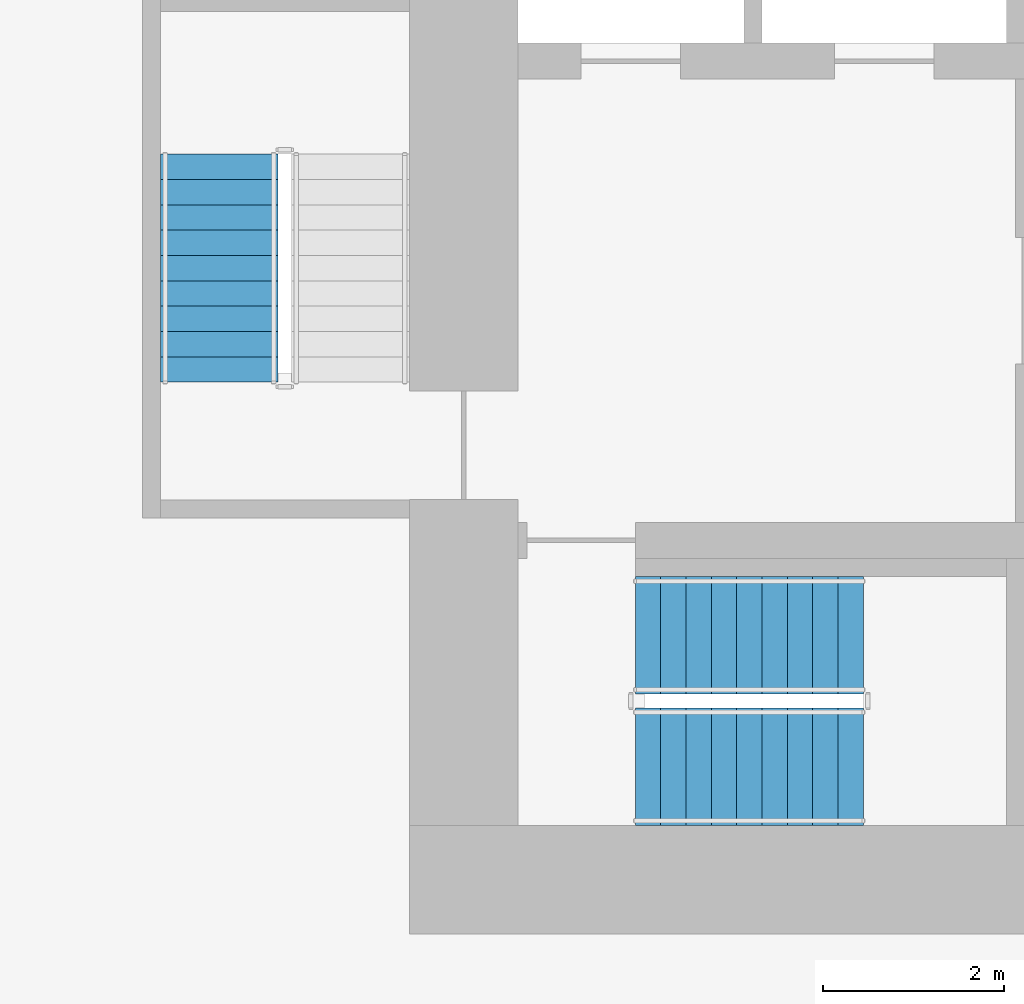
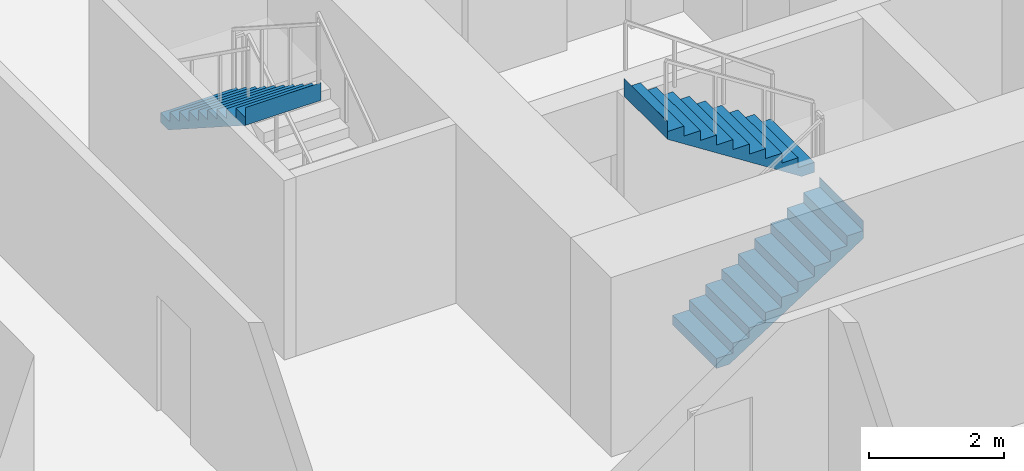
# One storey, part 15 of 22: 3 stair flights, 2 elements without a shape of their own.
"""IFC4 building model written with IfcOpenShell, lengths in metres."""

from ifc_helpers import new_model, si_unit, direction, frame, origin, place, context, subcontext, project, spatial, triangles, material, type_object, element, aggregate, save


model = new_model("IFC4")

# Units and contexts
model_context = context("Model", 3, precision=1e-05, world=origin(), true_north=direction((0.0, 1.0)))
body_context = subcontext(model_context, "Body", "Model", "MODEL_VIEW")
ifc_project = project(units=[si_unit("LENGTHUNIT", "METRE"), si_unit("AREAUNIT", "SQUARE_METRE"), si_unit("VOLUMEUNIT", "CUBIC_METRE"), si_unit("PLANEANGLEUNIT", "RADIAN"), si_unit("MASSUNIT", "GRAM", prefix="KILO")], contexts=[model_context])

# Site, building, storey
site_placement = place(None, origin())
site = spatial("IfcSite", under=ifc_project, at=site_placement, CompositionType="ELEMENT")
building_placement = place(site_placement, origin())
building = spatial("IfcBuilding", under=site, at=building_placement, Name="Beryl Residences", CompositionType="ELEMENT")
storey_placement = place(building_placement, frame((0.0, 0.0, 12.60009765625)))
storey = spatial("IfcBuildingStorey", under=building, at=storey_placement, Name="L03", CompositionType="ELEMENT", Elevation=12.60009765625)

# Stair, stair flights
ifc_material_1 = material(Name="Concrete C40/50", Category="concrete")
stair_type = type_object("IfcStairType", Name="ST1 protected exit stair, half-turn, 1300 mm flights", PredefinedType="HALF_TURN_STAIR", material=ifc_material_1)
stair_1_placement = place(storey_placement, origin())
stair_1 = element("IfcStair", 1, at=stair_1_placement, inside=storey, type_object=stair_type, Name="L03 PROTECTED EXIT STAIR ST-1", PredefinedType="HALF_TURN_STAIR")
ifc_material_2 = material(Name="Concrete C40/50", Category="concrete")
stair_flight_type = type_object("IfcStairFlightType", Name="SF1 stair flight 1300 mm", PredefinedType="STRAIGHT", material=ifc_material_2)
stair_flight_1_placement = place(storey_placement, frame((-10.800048828125, -17.14990234375, 0.0), z_axis=(0.0, 0.0, 1.0), x_axis=(1.0, 0.0, 0.0)))
stair_flight_1 = element("IfcStairFlight", 2, at=stair_flight_1_placement, type_object=stair_flight_type, Name="ST-1 flight 1", NumberOfRisers=10, NumberOfTreads=9, PredefinedType="STRAIGHT", RiserHeight=0.18, TreadLength=0.28, context=body_context, shape_type="Tessellation", body=[
    triangles([(0.0, -0.64990234375, 0.0), (0.0, -0.324951171875, 0.0), (0.0, 0.0, 0.0), (0.0, 0.324951171875, 0.0), (0.0, 0.64990234375, 0.0), (0.0, -0.64990234375, 0.179931640625), (0.0, -0.324951171875, 0.179931640625), (0.0, 0.0, 0.179931640625), (0.0, 0.324951171875, 0.179931640625), (0.0, 0.64990234375, 0.179931640625), (0.280029296875, -0.64990234375, 0.179931640625), (0.280029296875, -0.324951171875, 0.179931640625), (0.280029296875, 0.0, 0.179931640625), (0.280029296875, 0.324951171875, 0.179931640625), (0.280029296875, 0.64990234375, 0.179931640625), (0.280029296875, -0.64990234375, 0.360107421875), (0.280029296875, -0.324951171875, 0.360107421875), (0.280029296875, 0.0, 0.360107421875), (0.280029296875, 0.324951171875, 0.360107421875), (0.280029296875, 0.64990234375, 0.360107421875), (0.56005859375, -0.64990234375, 0.360107421875), (0.56005859375, -0.324951171875, 0.360107421875), (0.56005859375, 0.0, 0.360107421875), (0.56005859375, 0.324951171875, 0.360107421875), (0.56005859375, 0.64990234375, 0.360107421875), (0.56005859375, -0.64990234375, 0.5400390625), (0.56005859375, -0.324951171875, 0.5400390625), (0.56005859375, 0.0, 0.5400390625), (0.56005859375, 0.324951171875, 0.5400390625), (0.56005859375, 0.64990234375, 0.5400390625), (0.840087890625, -0.64990234375, 0.5400390625), (0.840087890625, -0.324951171875, 0.5400390625), (0.840087890625, 0.0, 0.5400390625), (0.840087890625, 0.324951171875, 0.5400390625), (0.840087890625, 0.64990234375, 0.5400390625), (0.840087890625, -0.64990234375, 0.719970703125), (0.840087890625, -0.324951171875, 0.719970703125), (0.840087890625, 0.0, 0.719970703125), (0.840087890625, 0.324951171875, 0.719970703125), (0.840087890625, 0.64990234375, 0.719970703125), (1.1201171875, -0.64990234375, 0.719970703125), (1.1201171875, -0.324951171875, 0.719970703125), (1.1201171875, 0.0, 0.719970703125), (1.1201171875, 0.324951171875, 0.719970703125), (1.1201171875, 0.64990234375, 0.719970703125), (1.1201171875, -0.64990234375, 0.89990234375), (1.1201171875, -0.324951171875, 0.89990234375), (1.1201171875, 0.0, 0.89990234375), (1.1201171875, 0.324951171875, 0.89990234375), (1.1201171875, 0.64990234375, 0.89990234375), (1.39990234375, -0.64990234375, 0.89990234375), (1.39990234375, -0.324951171875, 0.89990234375), (1.39990234375, 0.0, 0.89990234375), (1.39990234375, 0.324951171875, 0.89990234375), (1.39990234375, 0.64990234375, 0.89990234375), (1.39990234375, -0.64990234375, 1.080078125), (1.39990234375, -0.324951171875, 1.080078125), (1.39990234375, 0.0, 1.080078125), (1.39990234375, 0.324951171875, 1.080078125), (1.39990234375, 0.64990234375, 1.080078125), (1.679931640625, -0.64990234375, 1.080078125), (1.679931640625, -0.324951171875, 1.080078125), (1.679931640625, 0.0, 1.080078125), (1.679931640625, 0.324951171875, 1.080078125), (1.679931640625, 0.64990234375, 1.080078125), (1.679931640625, -0.64990234375, 1.260009765625), (1.679931640625, -0.324951171875, 1.260009765625), (1.679931640625, 0.0, 1.260009765625), (1.679931640625, 0.324951171875, 1.260009765625), (1.679931640625, 0.64990234375, 1.260009765625), (1.9599609375, -0.64990234375, 1.260009765625), (1.9599609375, -0.324951171875, 1.260009765625), (1.9599609375, 0.0, 1.260009765625), (1.9599609375, 0.324951171875, 1.260009765625), (1.9599609375, 0.64990234375, 1.260009765625), (1.9599609375, -0.64990234375, 1.43994140625), (1.9599609375, -0.324951171875, 1.43994140625), (1.9599609375, 0.0, 1.43994140625), (1.9599609375, 0.324951171875, 1.43994140625), (1.9599609375, 0.64990234375, 1.43994140625), (2.239990234375, -0.64990234375, 1.43994140625), (2.239990234375, -0.324951171875, 1.43994140625), (2.239990234375, 0.0, 1.43994140625), (2.239990234375, 0.324951171875, 1.43994140625), (2.239990234375, 0.64990234375, 1.43994140625), (2.239990234375, -0.64990234375, 1.6201171875), (2.239990234375, -0.324951171875, 1.6201171875), (2.239990234375, 0.0, 1.6201171875), (2.239990234375, 0.324951171875, 1.6201171875), (2.239990234375, 0.64990234375, 1.6201171875), (2.52001953125, -0.64990234375, 1.6201171875), (2.52001953125, -0.324951171875, 1.6201171875), (2.52001953125, 0.0, 1.6201171875), (2.52001953125, 0.324951171875, 1.6201171875), (2.52001953125, 0.64990234375, 1.6201171875), (2.52001953125, -0.64990234375, 1.800048828125), (2.52001953125, -0.324951171875, 1.800048828125), (2.52001953125, 0.0, 1.800048828125), (2.52001953125, 0.324951171875, 1.800048828125), (2.52001953125, 0.64990234375, 1.800048828125), (2.52099609375, -0.64990234375, 1.800048828125), (2.52099609375, -0.324951171875, 1.800048828125), (2.52099609375, 0.0, 1.800048828125), (2.52099609375, 0.324951171875, 1.800048828125), (2.52099609375, 0.64990234375, 1.800048828125), (2.52099609375, -0.64990234375, 1.477294921875), (2.52099609375, -0.324951171875, 1.477294921875), (2.52099609375, 0.0, 1.477294921875), (2.52099609375, 0.324951171875, 1.477294921875), (2.52099609375, 0.64990234375, 1.477294921875), (0.22314453125, -0.64990234375, 0.0), (0.22314453125, -0.324951171875, 0.0), (0.22314453125, 0.0, 0.0), (0.22314453125, 0.324951171875, 0.0), (0.22314453125, 0.64990234375, 0.0)], [[1, 6, 7], [1, 7, 2], [2, 7, 8], [2, 8, 3], [3, 8, 9], [3, 9, 4], [4, 9, 10], [4, 10, 5], [6, 11, 12], [6, 12, 7], [7, 12, 13], [7, 13, 8], [8, 13, 14], [8, 14, 9], [9, 14, 15], [9, 15, 10], [11, 16, 17], [11, 17, 12], [12, 17, 18], [12, 18, 13], [13, 18, 19], [13, 19, 14], [14, 19, 20], [14, 20, 15], [16, 21, 22], [16, 22, 17], [17, 22, 23], [17, 23, 18], [18, 23, 24], [18, 24, 19], [19, 24, 25], [19, 25, 20], [21, 26, 27], [21, 27, 22], [22, 27, 28], [22, 28, 23], [23, 28, 29], [23, 29, 24], [24, 29, 30], [24, 30, 25], [26, 31, 32], [26, 32, 27], [27, 32, 33], [27, 33, 28], [28, 33, 34], [28, 34, 29], [29, 34, 35], [29, 35, 30], [31, 36, 37], [31, 37, 32], [32, 37, 38], [32, 38, 33], [33, 38, 39], [33, 39, 34], [34, 39, 40], [34, 40, 35], [36, 41, 42], [36, 42, 37], [37, 42, 43], [37, 43, 38], [38, 43, 44], [38, 44, 39], [39, 44, 45], [39, 45, 40], [41, 46, 47], [41, 47, 42], [42, 47, 48], [42, 48, 43], [43, 48, 49], [43, 49, 44], [44, 49, 50], [44, 50, 45], [46, 51, 52], [46, 52, 47], [47, 52, 53], [47, 53, 48], [48, 53, 54], [48, 54, 49], [49, 54, 55], [49, 55, 50], [51, 56, 57], [51, 57, 52], [52, 57, 58], [52, 58, 53], [53, 58, 59], [53, 59, 54], [54, 59, 60], [54, 60, 55], [56, 61, 62], [56, 62, 57], [57, 62, 63], [57, 63, 58], [58, 63, 64], [58, 64, 59], [59, 64, 65], [59, 65, 60], [61, 66, 67], [61, 67, 62], [62, 67, 68], [62, 68, 63], [63, 68, 69], [63, 69, 64], [64, 69, 70], [64, 70, 65], [66, 71, 72], [66, 72, 67], [67, 72, 73], [67, 73, 68], [68, 73, 74], [68, 74, 69], [69, 74, 75], [69, 75, 70], [71, 76, 77], [71, 77, 72], [72, 77, 78], [72, 78, 73], [73, 78, 79], [73, 79, 74], [74, 79, 80], [74, 80, 75], [76, 81, 82], [76, 82, 77], [77, 82, 83], [77, 83, 78], [78, 83, 84], [78, 84, 79], [79, 84, 85], [79, 85, 80], [81, 86, 87], [81, 87, 82], [82, 87, 88], [82, 88, 83], [83, 88, 89], [83, 89, 84], [84, 89, 90], [84, 90, 85], [86, 91, 92], [86, 92, 87], [87, 92, 93], [87, 93, 88], [88, 93, 94], [88, 94, 89], [89, 94, 95], [89, 95, 90], [91, 96, 97], [91, 97, 92], [92, 97, 98], [92, 98, 93], [93, 98, 99], [93, 99, 94], [94, 99, 100], [94, 100, 95], [96, 101, 102], [96, 102, 97], [97, 102, 103], [97, 103, 98], [98, 103, 104], [98, 104, 99], [99, 104, 105], [99, 105, 100], [101, 106, 107], [101, 107, 102], [102, 107, 108], [102, 108, 103], [103, 108, 109], [103, 109, 104], [104, 109, 110], [104, 110, 105], [106, 111, 112], [106, 112, 107], [107, 112, 113], [107, 113, 108], [108, 113, 114], [108, 114, 109], [109, 114, 115], [109, 115, 110], [111, 1, 2], [111, 2, 112], [112, 2, 3], [112, 3, 113], [113, 3, 4], [113, 4, 114], [114, 4, 5], [114, 5, 115], [1, 111, 106], [5, 110, 115], [106, 101, 96], [110, 100, 105], [106, 96, 91], [110, 95, 100], [106, 91, 86], [110, 90, 95], [106, 86, 81], [110, 85, 90], [81, 76, 71], [85, 75, 80], [106, 81, 71], [110, 75, 85], [71, 66, 61], [75, 65, 70], [106, 71, 61], [110, 65, 75], [61, 56, 51], [65, 55, 60], [106, 61, 51], [110, 55, 65], [51, 46, 41], [55, 45, 50], [106, 51, 41], [110, 45, 55], [41, 36, 31], [45, 35, 40], [106, 41, 31], [110, 35, 45], [31, 26, 21], [35, 25, 30], [106, 31, 21], [110, 25, 35], [21, 16, 11], [25, 15, 20], [106, 21, 11], [110, 15, 25], [1, 106, 11], [5, 15, 110], [11, 6, 1], [15, 5, 10]], closed=True),
])
stair_flight_2_placement = place(storey_placement, frame((-8.280029296875, -15.699951171875, 1.7998046875), z_axis=(0.0, 0.0, 1.0), x_axis=(-1.0, 0.0, 0.0)))
stair_flight_2 = element("IfcStairFlight", 3, at=stair_flight_2_placement, type_object=stair_flight_type, Name="ST-1 flight 2", NumberOfRisers=10, NumberOfTreads=9, PredefinedType="STRAIGHT", RiserHeight=0.18, TreadLength=0.28, context=body_context, shape_type="Tessellation", body=[
    triangles([(0.0, -0.64990234375, 0.0), (0.0, -0.324951171875, 0.0), (0.0, 0.0, 0.0), (0.0, 0.324951171875, 0.0), (0.0, 0.64990234375, 0.0), (0.0, -0.64990234375, 0.179931640625), (0.0, -0.324951171875, 0.179931640625), (0.0, 0.0, 0.179931640625), (0.0, 0.324951171875, 0.179931640625), (0.0, 0.64990234375, 0.179931640625), (0.280029296875, -0.64990234375, 0.179931640625), (0.280029296875, -0.324951171875, 0.179931640625), (0.280029296875, 0.0, 0.179931640625), (0.280029296875, 0.324951171875, 0.179931640625), (0.280029296875, 0.64990234375, 0.179931640625), (0.280029296875, -0.64990234375, 0.360107421875), (0.280029296875, -0.324951171875, 0.360107421875), (0.280029296875, 0.0, 0.360107421875), (0.280029296875, 0.324951171875, 0.360107421875), (0.280029296875, 0.64990234375, 0.360107421875), (0.56005859375, -0.64990234375, 0.360107421875), (0.56005859375, -0.324951171875, 0.360107421875), (0.56005859375, 0.0, 0.360107421875), (0.56005859375, 0.324951171875, 0.360107421875), (0.56005859375, 0.64990234375, 0.360107421875), (0.56005859375, -0.64990234375, 0.5400390625), (0.56005859375, -0.324951171875, 0.5400390625), (0.56005859375, 0.0, 0.5400390625), (0.56005859375, 0.324951171875, 0.5400390625), (0.56005859375, 0.64990234375, 0.5400390625), (0.840087890625, -0.64990234375, 0.5400390625), (0.840087890625, -0.324951171875, 0.5400390625), (0.840087890625, 0.0, 0.5400390625), (0.840087890625, 0.324951171875, 0.5400390625), (0.840087890625, 0.64990234375, 0.5400390625), (0.840087890625, -0.64990234375, 0.719970703125), (0.840087890625, -0.324951171875, 0.719970703125), (0.840087890625, 0.0, 0.719970703125), (0.840087890625, 0.324951171875, 0.719970703125), (0.840087890625, 0.64990234375, 0.719970703125), (1.1201171875, -0.64990234375, 0.719970703125), (1.1201171875, -0.324951171875, 0.719970703125), (1.1201171875, 0.0, 0.719970703125), (1.1201171875, 0.324951171875, 0.719970703125), (1.1201171875, 0.64990234375, 0.719970703125), (1.1201171875, -0.64990234375, 0.89990234375), (1.1201171875, -0.324951171875, 0.89990234375), (1.1201171875, 0.0, 0.89990234375), (1.1201171875, 0.324951171875, 0.89990234375), (1.1201171875, 0.64990234375, 0.89990234375), (1.39990234375, -0.64990234375, 0.89990234375), (1.39990234375, -0.324951171875, 0.89990234375), (1.39990234375, 0.0, 0.89990234375), (1.39990234375, 0.324951171875, 0.89990234375), (1.39990234375, 0.64990234375, 0.89990234375), (1.39990234375, -0.64990234375, 1.080078125), (1.39990234375, -0.324951171875, 1.080078125), (1.39990234375, 0.0, 1.080078125), (1.39990234375, 0.324951171875, 1.080078125), (1.39990234375, 0.64990234375, 1.080078125), (1.679931640625, -0.64990234375, 1.080078125), (1.679931640625, -0.324951171875, 1.080078125), (1.679931640625, 0.0, 1.080078125), (1.679931640625, 0.324951171875, 1.080078125), (1.679931640625, 0.64990234375, 1.080078125), (1.679931640625, -0.64990234375, 1.260009765625), (1.679931640625, -0.324951171875, 1.260009765625), (1.679931640625, 0.0, 1.260009765625), (1.679931640625, 0.324951171875, 1.260009765625), (1.679931640625, 0.64990234375, 1.260009765625), (1.9599609375, -0.64990234375, 1.260009765625), (1.9599609375, -0.324951171875, 1.260009765625), (1.9599609375, 0.0, 1.260009765625), (1.9599609375, 0.324951171875, 1.260009765625), (1.9599609375, 0.64990234375, 1.260009765625), (1.9599609375, -0.64990234375, 1.43994140625), (1.9599609375, -0.324951171875, 1.43994140625), (1.9599609375, 0.0, 1.43994140625), (1.9599609375, 0.324951171875, 1.43994140625), (1.9599609375, 0.64990234375, 1.43994140625), (2.239990234375, -0.64990234375, 1.43994140625), (2.239990234375, -0.324951171875, 1.43994140625), (2.239990234375, 0.0, 1.43994140625), (2.239990234375, 0.324951171875, 1.43994140625), (2.239990234375, 0.64990234375, 1.43994140625), (2.239990234375, -0.64990234375, 1.6201171875), (2.239990234375, -0.324951171875, 1.6201171875), (2.239990234375, 0.0, 1.6201171875), (2.239990234375, 0.324951171875, 1.6201171875), (2.239990234375, 0.64990234375, 1.6201171875), (2.52001953125, -0.64990234375, 1.6201171875), (2.52001953125, -0.324951171875, 1.6201171875), (2.52001953125, 0.0, 1.6201171875), (2.52001953125, 0.324951171875, 1.6201171875), (2.52001953125, 0.64990234375, 1.6201171875), (2.52001953125, -0.64990234375, 1.800048828125), (2.52001953125, -0.324951171875, 1.800048828125), (2.52001953125, 0.0, 1.800048828125), (2.52001953125, 0.324951171875, 1.800048828125), (2.52001953125, 0.64990234375, 1.800048828125), (2.52099609375, -0.64990234375, 1.800048828125), (2.52099609375, -0.324951171875, 1.800048828125), (2.52099609375, 0.0, 1.800048828125), (2.52099609375, 0.324951171875, 1.800048828125), (2.52099609375, 0.64990234375, 1.800048828125), (2.52099609375, -0.64990234375, 1.477294921875), (2.52099609375, -0.324951171875, 1.477294921875), (2.52099609375, 0.0, 1.477294921875), (2.52099609375, 0.324951171875, 1.477294921875), (2.52099609375, 0.64990234375, 1.477294921875), (0.22314453125, -0.64990234375, 0.0), (0.22314453125, -0.324951171875, 0.0), (0.22314453125, 0.0, 0.0), (0.22314453125, 0.324951171875, 0.0), (0.22314453125, 0.64990234375, 0.0)], [[1, 6, 7], [1, 7, 2], [2, 7, 8], [2, 8, 3], [3, 8, 9], [3, 9, 4], [4, 9, 10], [4, 10, 5], [6, 11, 12], [6, 12, 7], [7, 12, 13], [7, 13, 8], [8, 13, 14], [8, 14, 9], [9, 14, 15], [9, 15, 10], [11, 16, 17], [11, 17, 12], [12, 17, 18], [12, 18, 13], [13, 18, 19], [13, 19, 14], [14, 19, 20], [14, 20, 15], [16, 21, 22], [16, 22, 17], [17, 22, 23], [17, 23, 18], [18, 23, 24], [18, 24, 19], [19, 24, 25], [19, 25, 20], [21, 26, 27], [21, 27, 22], [22, 27, 28], [22, 28, 23], [23, 28, 29], [23, 29, 24], [24, 29, 30], [24, 30, 25], [26, 31, 32], [26, 32, 27], [27, 32, 33], [27, 33, 28], [28, 33, 34], [28, 34, 29], [29, 34, 35], [29, 35, 30], [31, 36, 37], [31, 37, 32], [32, 37, 38], [32, 38, 33], [33, 38, 39], [33, 39, 34], [34, 39, 40], [34, 40, 35], [36, 41, 42], [36, 42, 37], [37, 42, 43], [37, 43, 38], [38, 43, 44], [38, 44, 39], [39, 44, 45], [39, 45, 40], [41, 46, 47], [41, 47, 42], [42, 47, 48], [42, 48, 43], [43, 48, 49], [43, 49, 44], [44, 49, 50], [44, 50, 45], [46, 51, 52], [46, 52, 47], [47, 52, 53], [47, 53, 48], [48, 53, 54], [48, 54, 49], [49, 54, 55], [49, 55, 50], [51, 56, 57], [51, 57, 52], [52, 57, 58], [52, 58, 53], [53, 58, 59], [53, 59, 54], [54, 59, 60], [54, 60, 55], [56, 61, 62], [56, 62, 57], [57, 62, 63], [57, 63, 58], [58, 63, 64], [58, 64, 59], [59, 64, 65], [59, 65, 60], [61, 66, 67], [61, 67, 62], [62, 67, 68], [62, 68, 63], [63, 68, 69], [63, 69, 64], [64, 69, 70], [64, 70, 65], [66, 71, 72], [66, 72, 67], [67, 72, 73], [67, 73, 68], [68, 73, 74], [68, 74, 69], [69, 74, 75], [69, 75, 70], [71, 76, 77], [71, 77, 72], [72, 77, 78], [72, 78, 73], [73, 78, 79], [73, 79, 74], [74, 79, 80], [74, 80, 75], [76, 81, 82], [76, 82, 77], [77, 82, 83], [77, 83, 78], [78, 83, 84], [78, 84, 79], [79, 84, 85], [79, 85, 80], [81, 86, 87], [81, 87, 82], [82, 87, 88], [82, 88, 83], [83, 88, 89], [83, 89, 84], [84, 89, 90], [84, 90, 85], [86, 91, 92], [86, 92, 87], [87, 92, 93], [87, 93, 88], [88, 93, 94], [88, 94, 89], [89, 94, 95], [89, 95, 90], [91, 96, 97], [91, 97, 92], [92, 97, 98], [92, 98, 93], [93, 98, 99], [93, 99, 94], [94, 99, 100], [94, 100, 95], [96, 101, 102], [96, 102, 97], [97, 102, 103], [97, 103, 98], [98, 103, 104], [98, 104, 99], [99, 104, 105], [99, 105, 100], [101, 106, 107], [101, 107, 102], [102, 107, 108], [102, 108, 103], [103, 108, 109], [103, 109, 104], [104, 109, 110], [104, 110, 105], [106, 111, 112], [106, 112, 107], [107, 112, 113], [107, 113, 108], [108, 113, 114], [108, 114, 109], [109, 114, 115], [109, 115, 110], [111, 1, 2], [111, 2, 112], [112, 2, 3], [112, 3, 113], [113, 3, 4], [113, 4, 114], [114, 4, 5], [114, 5, 115], [1, 111, 106], [5, 110, 115], [106, 101, 96], [110, 100, 105], [106, 96, 91], [110, 95, 100], [106, 91, 86], [110, 90, 95], [106, 86, 81], [110, 85, 90], [81, 76, 71], [85, 75, 80], [106, 81, 71], [110, 75, 85], [71, 66, 61], [75, 65, 70], [106, 71, 61], [110, 65, 75], [61, 56, 51], [65, 55, 60], [106, 61, 51], [110, 55, 65], [51, 46, 41], [55, 45, 50], [106, 51, 41], [110, 45, 55], [41, 36, 31], [45, 35, 40], [106, 41, 31], [110, 35, 45], [31, 26, 21], [35, 25, 30], [106, 31, 21], [110, 25, 35], [21, 16, 11], [25, 15, 20], [106, 21, 11], [110, 15, 25], [1, 106, 11], [5, 15, 110], [11, 6, 1], [15, 5, 10]], closed=True),
])
aggregate(stair_1, [stair_flight_1, stair_flight_2])

# Stair, stair flight
stair_2_placement = place(storey_placement, origin())
stair_2 = element("IfcStair", 4, at=stair_2_placement, inside=storey, type_object=stair_type, Name="L03 PROTECTED EXIT STAIR ST-2", PredefinedType="HALF_TURN_STAIR")
stair_flight_3_placement = place(storey_placement, frame((-15.39990234375, -10.3798828125, 1.7998046875), z_axis=(0.0, 0.0, 1.0), x_axis=(0.0, -1.0, 0.0)))
stair_flight_3 = element("IfcStairFlight", 5, at=stair_flight_3_placement, type_object=stair_flight_type, Name="ST-2 flight 2", NumberOfRisers=10, NumberOfTreads=9, PredefinedType="STRAIGHT", RiserHeight=0.18, TreadLength=0.28, context=body_context, shape_type="Tessellation", body=[
    triangles([(0.0, -0.64990234375, 0.0), (0.0, -0.324951171875, 0.0), (0.0, 0.0, 0.0), (0.0, 0.324951171875, 0.0), (0.0, 0.64990234375, 0.0), (0.0, -0.64990234375, 0.179931640625), (0.0, -0.324951171875, 0.179931640625), (0.0, 0.0, 0.179931640625), (0.0, 0.324951171875, 0.179931640625), (0.0, 0.64990234375, 0.179931640625), (0.280029296875, -0.64990234375, 0.179931640625), (0.280029296875, -0.324951171875, 0.179931640625), (0.280029296875, 0.0, 0.179931640625), (0.280029296875, 0.324951171875, 0.179931640625), (0.280029296875, 0.64990234375, 0.179931640625), (0.280029296875, -0.64990234375, 0.360107421875), (0.280029296875, -0.324951171875, 0.360107421875), (0.280029296875, 0.0, 0.360107421875), (0.280029296875, 0.324951171875, 0.360107421875), (0.280029296875, 0.64990234375, 0.360107421875), (0.56005859375, -0.64990234375, 0.360107421875), (0.56005859375, -0.324951171875, 0.360107421875), (0.56005859375, 0.0, 0.360107421875), (0.56005859375, 0.324951171875, 0.360107421875), (0.56005859375, 0.64990234375, 0.360107421875), (0.56005859375, -0.64990234375, 0.5400390625), (0.56005859375, -0.324951171875, 0.5400390625), (0.56005859375, 0.0, 0.5400390625), (0.56005859375, 0.324951171875, 0.5400390625), (0.56005859375, 0.64990234375, 0.5400390625), (0.840087890625, -0.64990234375, 0.5400390625), (0.840087890625, -0.324951171875, 0.5400390625), (0.840087890625, 0.0, 0.5400390625), (0.840087890625, 0.324951171875, 0.5400390625), (0.840087890625, 0.64990234375, 0.5400390625), (0.840087890625, -0.64990234375, 0.719970703125), (0.840087890625, -0.324951171875, 0.719970703125), (0.840087890625, 0.0, 0.719970703125), (0.840087890625, 0.324951171875, 0.719970703125), (0.840087890625, 0.64990234375, 0.719970703125), (1.1201171875, -0.64990234375, 0.719970703125), (1.1201171875, -0.324951171875, 0.719970703125), (1.1201171875, 0.0, 0.719970703125), (1.1201171875, 0.324951171875, 0.719970703125), (1.1201171875, 0.64990234375, 0.719970703125), (1.1201171875, -0.64990234375, 0.89990234375), (1.1201171875, -0.324951171875, 0.89990234375), (1.1201171875, 0.0, 0.89990234375), (1.1201171875, 0.324951171875, 0.89990234375), (1.1201171875, 0.64990234375, 0.89990234375), (1.39990234375, -0.64990234375, 0.89990234375), (1.39990234375, -0.324951171875, 0.89990234375), (1.39990234375, 0.0, 0.89990234375), (1.39990234375, 0.324951171875, 0.89990234375), (1.39990234375, 0.64990234375, 0.89990234375), (1.39990234375, -0.64990234375, 1.080078125), (1.39990234375, -0.324951171875, 1.080078125), (1.39990234375, 0.0, 1.080078125), (1.39990234375, 0.324951171875, 1.080078125), (1.39990234375, 0.64990234375, 1.080078125), (1.679931640625, -0.64990234375, 1.080078125), (1.679931640625, -0.324951171875, 1.080078125), (1.679931640625, 0.0, 1.080078125), (1.679931640625, 0.324951171875, 1.080078125), (1.679931640625, 0.64990234375, 1.080078125), (1.679931640625, -0.64990234375, 1.260009765625), (1.679931640625, -0.324951171875, 1.260009765625), (1.679931640625, 0.0, 1.260009765625), (1.679931640625, 0.324951171875, 1.260009765625), (1.679931640625, 0.64990234375, 1.260009765625), (1.9599609375, -0.64990234375, 1.260009765625), (1.9599609375, -0.324951171875, 1.260009765625), (1.9599609375, 0.0, 1.260009765625), (1.9599609375, 0.324951171875, 1.260009765625), (1.9599609375, 0.64990234375, 1.260009765625), (1.9599609375, -0.64990234375, 1.43994140625), (1.9599609375, -0.324951171875, 1.43994140625), (1.9599609375, 0.0, 1.43994140625), (1.9599609375, 0.324951171875, 1.43994140625), (1.9599609375, 0.64990234375, 1.43994140625), (2.239990234375, -0.64990234375, 1.43994140625), (2.239990234375, -0.324951171875, 1.43994140625), (2.239990234375, 0.0, 1.43994140625), (2.239990234375, 0.324951171875, 1.43994140625), (2.239990234375, 0.64990234375, 1.43994140625), (2.239990234375, -0.64990234375, 1.6201171875), (2.239990234375, -0.324951171875, 1.6201171875), (2.239990234375, 0.0, 1.6201171875), (2.239990234375, 0.324951171875, 1.6201171875), (2.239990234375, 0.64990234375, 1.6201171875), (2.52001953125, -0.64990234375, 1.6201171875), (2.52001953125, -0.324951171875, 1.6201171875), (2.52001953125, 0.0, 1.6201171875), (2.52001953125, 0.324951171875, 1.6201171875), (2.52001953125, 0.64990234375, 1.6201171875), (2.52001953125, -0.64990234375, 1.800048828125), (2.52001953125, -0.324951171875, 1.800048828125), (2.52001953125, 0.0, 1.800048828125), (2.52001953125, 0.324951171875, 1.800048828125), (2.52001953125, 0.64990234375, 1.800048828125), (2.52099609375, -0.64990234375, 1.800048828125), (2.52099609375, -0.324951171875, 1.800048828125), (2.52099609375, 0.0, 1.800048828125), (2.52099609375, 0.324951171875, 1.800048828125), (2.52099609375, 0.64990234375, 1.800048828125), (2.52099609375, -0.64990234375, 1.477294921875), (2.52099609375, -0.324951171875, 1.477294921875), (2.52099609375, 0.0, 1.477294921875), (2.52099609375, 0.324951171875, 1.477294921875), (2.52099609375, 0.64990234375, 1.477294921875), (0.22314453125, -0.64990234375, 0.0), (0.22314453125, -0.324951171875, 0.0), (0.22314453125, 0.0, 0.0), (0.22314453125, 0.324951171875, 0.0), (0.22314453125, 0.64990234375, 0.0)], [[1, 6, 7], [1, 7, 2], [2, 7, 8], [2, 8, 3], [3, 8, 9], [3, 9, 4], [4, 9, 10], [4, 10, 5], [6, 11, 12], [6, 12, 7], [7, 12, 13], [7, 13, 8], [8, 13, 14], [8, 14, 9], [9, 14, 15], [9, 15, 10], [11, 16, 17], [11, 17, 12], [12, 17, 18], [12, 18, 13], [13, 18, 19], [13, 19, 14], [14, 19, 20], [14, 20, 15], [16, 21, 22], [16, 22, 17], [17, 22, 23], [17, 23, 18], [18, 23, 24], [18, 24, 19], [19, 24, 25], [19, 25, 20], [21, 26, 27], [21, 27, 22], [22, 27, 28], [22, 28, 23], [23, 28, 29], [23, 29, 24], [24, 29, 30], [24, 30, 25], [26, 31, 32], [26, 32, 27], [27, 32, 33], [27, 33, 28], [28, 33, 34], [28, 34, 29], [29, 34, 35], [29, 35, 30], [31, 36, 37], [31, 37, 32], [32, 37, 38], [32, 38, 33], [33, 38, 39], [33, 39, 34], [34, 39, 40], [34, 40, 35], [36, 41, 42], [36, 42, 37], [37, 42, 43], [37, 43, 38], [38, 43, 44], [38, 44, 39], [39, 44, 45], [39, 45, 40], [41, 46, 47], [41, 47, 42], [42, 47, 48], [42, 48, 43], [43, 48, 49], [43, 49, 44], [44, 49, 50], [44, 50, 45], [46, 51, 52], [46, 52, 47], [47, 52, 53], [47, 53, 48], [48, 53, 54], [48, 54, 49], [49, 54, 55], [49, 55, 50], [51, 56, 57], [51, 57, 52], [52, 57, 58], [52, 58, 53], [53, 58, 59], [53, 59, 54], [54, 59, 60], [54, 60, 55], [56, 61, 62], [56, 62, 57], [57, 62, 63], [57, 63, 58], [58, 63, 64], [58, 64, 59], [59, 64, 65], [59, 65, 60], [61, 66, 67], [61, 67, 62], [62, 67, 68], [62, 68, 63], [63, 68, 69], [63, 69, 64], [64, 69, 70], [64, 70, 65], [66, 71, 72], [66, 72, 67], [67, 72, 73], [67, 73, 68], [68, 73, 74], [68, 74, 69], [69, 74, 75], [69, 75, 70], [71, 76, 77], [71, 77, 72], [72, 77, 78], [72, 78, 73], [73, 78, 79], [73, 79, 74], [74, 79, 80], [74, 80, 75], [76, 81, 82], [76, 82, 77], [77, 82, 83], [77, 83, 78], [78, 83, 84], [78, 84, 79], [79, 84, 85], [79, 85, 80], [81, 86, 87], [81, 87, 82], [82, 87, 88], [82, 88, 83], [83, 88, 89], [83, 89, 84], [84, 89, 90], [84, 90, 85], [86, 91, 92], [86, 92, 87], [87, 92, 93], [87, 93, 88], [88, 93, 94], [88, 94, 89], [89, 94, 95], [89, 95, 90], [91, 96, 97], [91, 97, 92], [92, 97, 98], [92, 98, 93], [93, 98, 99], [93, 99, 94], [94, 99, 100], [94, 100, 95], [96, 101, 102], [96, 102, 97], [97, 102, 103], [97, 103, 98], [98, 103, 104], [98, 104, 99], [99, 104, 105], [99, 105, 100], [101, 106, 107], [101, 107, 102], [102, 107, 108], [102, 108, 103], [103, 108, 109], [103, 109, 104], [104, 109, 110], [104, 110, 105], [106, 111, 112], [106, 112, 107], [107, 112, 113], [107, 113, 108], [108, 113, 114], [108, 114, 109], [109, 114, 115], [109, 115, 110], [111, 1, 2], [111, 2, 112], [112, 2, 3], [112, 3, 113], [113, 3, 4], [113, 4, 114], [114, 4, 5], [114, 5, 115], [1, 111, 106], [5, 110, 115], [106, 101, 96], [110, 100, 105], [106, 96, 91], [110, 95, 100], [106, 91, 86], [110, 90, 95], [106, 86, 81], [110, 85, 90], [81, 76, 71], [85, 75, 80], [106, 81, 71], [110, 75, 85], [71, 66, 61], [75, 65, 70], [106, 71, 61], [110, 65, 75], [61, 56, 51], [65, 55, 60], [106, 61, 51], [110, 55, 65], [51, 46, 41], [55, 45, 50], [106, 51, 41], [110, 45, 55], [41, 36, 31], [45, 35, 40], [106, 41, 31], [110, 35, 45], [31, 26, 21], [35, 25, 30], [106, 31, 21], [110, 25, 35], [21, 16, 11], [25, 15, 20], [106, 21, 11], [110, 15, 25], [1, 106, 11], [5, 15, 110], [11, 6, 1], [15, 5, 10]], closed=True),
])
aggregate(stair_2, [stair_flight_3])

save(model, "model.ifc")
